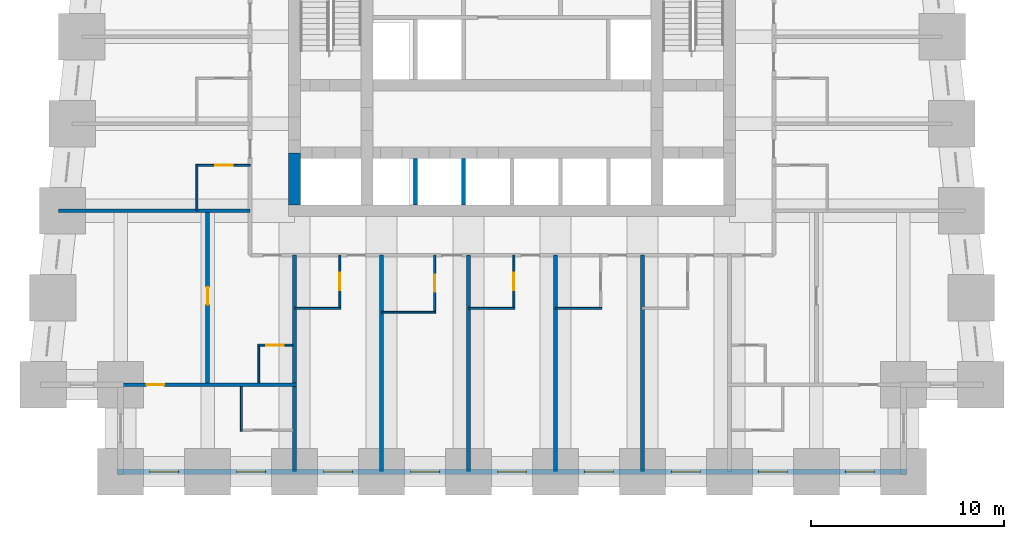
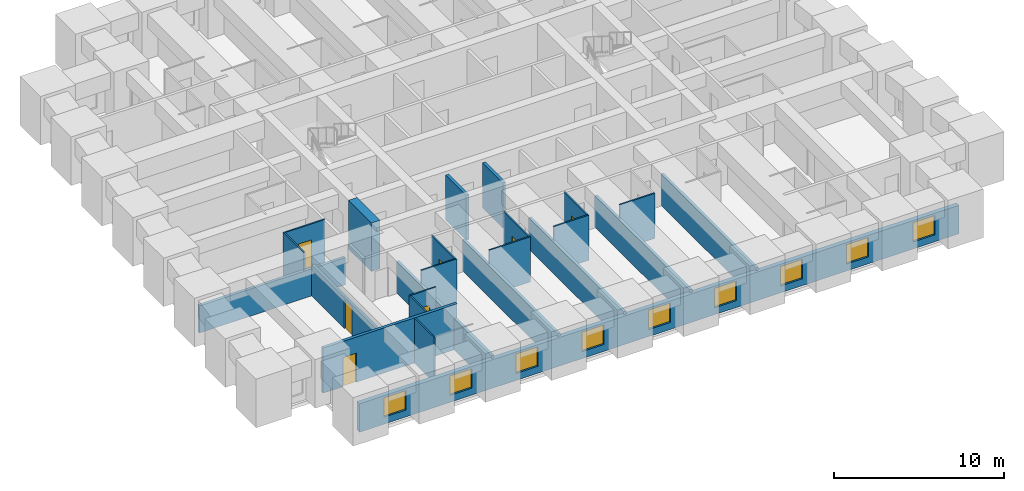
# One storey, part 2 of 8: 24 walls, 9 windows, 7 doors, 16 openings.
"""IFC4 building model written with IfcOpenShell, lengths in metres."""

from ifc_helpers import new_model, si_unit, direction, frame, frame_2d, origin, place, context, subcontext, project, spatial, rectangle, extrude, material, layer, layer_set, type_object, element, fill, save


model = new_model("IFC4")

# Units and contexts
model_context = context("Model", 3, precision=1e-05, world=origin(), true_north=direction((0.0, 1.0)))
body_context = subcontext(model_context, "Body", "Model", "MODEL_VIEW")
ifc_project = project(units=[si_unit("LENGTHUNIT", "METRE"), si_unit("AREAUNIT", "SQUARE_METRE"), si_unit("VOLUMEUNIT", "CUBIC_METRE"), si_unit("PLANEANGLEUNIT", "RADIAN"), si_unit("MASSUNIT", "GRAM", prefix="KILO")], contexts=[model_context])

# Site, building, storey
site_placement = place(None, origin())
site = spatial("IfcSite", under=ifc_project, at=site_placement, CompositionType="ELEMENT")
building_placement = place(site_placement, origin())
building = spatial("IfcBuilding", under=site, at=building_placement, Name="Kilele Tower Hotel", CompositionType="ELEMENT")
storey_placement = place(building_placement, frame((0.0, 0.0, 29.699951171875)))
storey = spatial("IfcBuildingStorey", under=building, at=storey_placement, Name="L05", CompositionType="ELEMENT", Elevation=29.699951171875)

# Wall
ifc_material_1 = material(Name="Moisture-resistant board")
ifc_layer_1 = layer(ifc_material_1, 0.10009765625)
ifc_layer_set_1 = layer_set([ifc_layer_1], Name="Moisture-resistant board")
wall_type_1 = type_object("IfcWallType", Name="Bathroom partition 100", PredefinedType="PLUMBINGWALL", material=ifc_layer_set_1)
wall_1_placement = place(storey_placement, frame((13.5, 8.449951171875, 0.0), z_axis=(0.0, 0.0, 1.0), x_axis=(1.0, 0.0, 0.0)))
element("IfcWall", 1, at=wall_1_placement, inside=storey, type_object=wall_type_1, Name="Bathroom partition 100 L05", PredefinedType="PLUMBINGWALL", context=body_context, shape_type="SweptSolid", body=[
    extrude(rectangle(XDim=2.39990234375, YDim=0.10009765625, at=frame_2d((1.199951171875, 0.0))), origin(), (0.0, 0.0, 1.0), 3.25),
])

# Wall, opening, door
wall_2_placement = place(storey_placement, frame((15.85009765625, 11.199951171875, 0.0), z_axis=(0.0, 0.0, 1.0), x_axis=(0.0, -1.0, 0.0)))
wall_2 = element("IfcWall", 2, at=wall_2_placement, inside=storey, type_object=wall_type_1, Name="Bathroom partition 100 L05", PredefinedType="PLUMBINGWALL", context=body_context, shape_type="SweptSolid", body=[
    extrude(rectangle(XDim=2.800048828125, YDim=0.10009765625, at=frame_2d((1.39990234375, 0.0))), origin(), (0.0, 0.0, 1.0), 3.25),
])
opening_1_placement = place(wall_2_placement, frame((0.89990234375, 0.0, 0.0)))
opening_1 = element("IfcOpeningElement", 3, at=opening_1_placement, cuts=wall_2, Name="Opening D2A", PredefinedType="OPENING", context=body_context, shape_type="SweptSolid", body=[
    extrude(rectangle(XDim=0.89990234375, YDim=2.10009765625, at=frame_2d((0.449951171875, 1.050048828125))), frame((0.0, 0.06005859375, 0.0), z_axis=(0.0, -1.0, 0.0), x_axis=(1.0, 0.0, 0.0)), (0.0, 0.0, 1.0), 0.1201171875),
])
ifc_material_2 = material(Name="Timber door leaf in hardwood frame", Category="wood")
door_type_1 = type_object("IfcDoorType", Name="Bathroom door 900", OperationType="SINGLE_SWING_LEFT", PredefinedType="DOOR", material=ifc_material_2)
door_1_placement = place(opening_1_placement, origin())
door_1 = element("IfcDoor", 4, at=door_1_placement, inside=storey, type_object=door_type_1, Name="Bathroom door 0501B", OperationType="SINGLE_SWING_LEFT", OverallHeight=2.10009765625, OverallWidth=0.89990234375, PredefinedType="DOOR", context=body_context, shape_type="SweptSolid", body=[
    extrude(rectangle(XDim=0.89990234375, YDim=2.10009765625, at=frame_2d((0.449951171875, 1.050048828125))), frame((0.0, 0.02490234375, 0.0), z_axis=(0.0, -1.0, 0.0), x_axis=(1.0, 0.0, 0.0)), (0.0, 0.0, 1.0), 0.050048828125),
])
fill(opening_1, door_1)

# Wall
wall_3_placement = place(storey_placement, frame((18.0, 8.25, 0.0), z_axis=(0.0, 0.0, 1.0), x_axis=(1.0, 0.0, 0.0)))
element("IfcWall", 5, at=wall_3_placement, inside=storey, type_object=wall_type_1, Name="Bathroom partition 100 L05", PredefinedType="PLUMBINGWALL", context=body_context, shape_type="SweptSolid", body=[
    extrude(rectangle(XDim=2.800048828125, YDim=0.10009765625, at=frame_2d((1.39990234375, 0.0))), origin(), (0.0, 0.0, 1.0), 3.25),
])

# Wall, opening, door
wall_4_placement = place(storey_placement, frame((20.75, 11.199951171875, 0.0), z_axis=(0.0, 0.0, 1.0), x_axis=(0.0, -1.0, 0.0)))
wall_4 = element("IfcWall", 6, at=wall_4_placement, inside=storey, type_object=wall_type_1, Name="Bathroom partition 100 L05", PredefinedType="PLUMBINGWALL", context=body_context, shape_type="SweptSolid", body=[
    extrude(rectangle(XDim=3.0, YDim=0.10009765625, at=frame_2d((1.5, 0.0))), origin(), (0.0, 0.0, 1.0), 3.25),
])
opening_2_placement = place(wall_4_placement, frame((1.0, 0.0, 0.0)))
opening_2 = element("IfcOpeningElement", 7, at=opening_2_placement, cuts=wall_4, Name="Opening D2A", PredefinedType="OPENING", context=body_context, shape_type="SweptSolid", body=[
    extrude(rectangle(XDim=0.89990234375, YDim=2.10009765625, at=frame_2d((0.449951171875, 1.050048828125))), frame((0.0, 0.06005859375, 0.0), z_axis=(0.0, -1.0, 0.0), x_axis=(1.0, 0.0, 0.0)), (0.0, 0.0, 1.0), 0.1201171875),
])
door_2_placement = place(opening_2_placement, origin())
door_2 = element("IfcDoor", 8, at=door_2_placement, inside=storey, type_object=door_type_1, Name="Bathroom door 0502B", OperationType="SINGLE_SWING_LEFT", OverallHeight=2.10009765625, OverallWidth=0.89990234375, PredefinedType="DOOR", context=body_context, shape_type="SweptSolid", body=[
    extrude(rectangle(XDim=0.89990234375, YDim=2.10009765625, at=frame_2d((0.449951171875, 1.050048828125))), frame((0.0, 0.02490234375, 0.0), z_axis=(0.0, -1.0, 0.0), x_axis=(1.0, 0.0, 0.0)), (0.0, 0.0, 1.0), 0.050048828125),
])
fill(opening_2, door_2)

# Wall
wall_5_placement = place(storey_placement, frame((22.5, 8.449951171875, 0.0), z_axis=(0.0, 0.0, 1.0), x_axis=(1.0, 0.0, 0.0)))
element("IfcWall", 9, at=wall_5_placement, inside=storey, type_object=wall_type_1, Name="Bathroom partition 100 L05", PredefinedType="PLUMBINGWALL", context=body_context, shape_type="SweptSolid", body=[
    extrude(rectangle(XDim=2.39990234375, YDim=0.10009765625, at=frame_2d((1.199951171875, 0.0))), origin(), (0.0, 0.0, 1.0), 3.25),
])

# Wall, opening, door
wall_6_placement = place(storey_placement, frame((24.85009765625, 11.199951171875, 0.0), z_axis=(0.0, 0.0, 1.0), x_axis=(0.0, -1.0, 0.0)))
wall_6 = element("IfcWall", 10, at=wall_6_placement, inside=storey, type_object=wall_type_1, Name="Bathroom partition 100 L05", PredefinedType="PLUMBINGWALL", context=body_context, shape_type="SweptSolid", body=[
    extrude(rectangle(XDim=2.800048828125, YDim=0.10009765625, at=frame_2d((1.39990234375, 0.0))), origin(), (0.0, 0.0, 1.0), 3.25),
])
opening_3_placement = place(wall_6_placement, frame((0.89990234375, 0.0, 0.0)))
opening_3 = element("IfcOpeningElement", 11, at=opening_3_placement, cuts=wall_6, Name="Opening D2A", PredefinedType="OPENING", context=body_context, shape_type="SweptSolid", body=[
    extrude(rectangle(XDim=0.89990234375, YDim=2.10009765625, at=frame_2d((0.449951171875, 1.050048828125))), frame((0.0, 0.06005859375, 0.0), z_axis=(0.0, -1.0, 0.0), x_axis=(1.0, 0.0, 0.0)), (0.0, 0.0, 1.0), 0.1201171875),
])
door_3_placement = place(opening_3_placement, origin())
door_3 = element("IfcDoor", 12, at=door_3_placement, inside=storey, type_object=door_type_1, Name="Bathroom door 0503B", OperationType="SINGLE_SWING_LEFT", OverallHeight=2.10009765625, OverallWidth=0.89990234375, PredefinedType="DOOR", context=body_context, shape_type="SweptSolid", body=[
    extrude(rectangle(XDim=0.89990234375, YDim=2.10009765625, at=frame_2d((0.449951171875, 1.050048828125))), frame((0.0, 0.02490234375, 0.0), z_axis=(0.0, -1.0, 0.0), x_axis=(1.0, 0.0, 0.0)), (0.0, 0.0, 1.0), 0.050048828125),
])
fill(opening_3, door_3)

# Walls
for number, where, z_axis, x_axis, name in (
    (13, (27.0, 8.449951171875, 0.0), (0.0, 0.0, 1.0), (1.0, 0.0, 0.0), "Bathroom partition 100 L05"),
    (14, (8.449951171875, 13.5, 0.0), (0.0, 0.0, 1.0), (0.0, 1.0, 0.0), "Bathroom partition 100 L05"),
):
    element("IfcWall", number, at=place(storey_placement, frame(where, z_axis=z_axis, x_axis=x_axis)), inside=storey, type_object=wall_type_1, Name=name, PredefinedType="PLUMBINGWALL", context=body_context, shape_type="SweptSolid", body=[
        extrude(rectangle(XDim=2.39990234375, YDim=0.10009765625, at=frame_2d((1.199951171875, 0.0))), origin(), (0.0, 0.0, 1.0), 3.25),
    ])

# Wall, opening, door
wall_7_placement = place(storey_placement, frame((11.199951171875, 15.85009765625, 0.0), z_axis=(0.0, 0.0, 1.0), x_axis=(-1.0, 0.0, 0.0)))
wall_7 = element("IfcWall", 15, at=wall_7_placement, inside=storey, type_object=wall_type_1, Name="Bathroom partition 100 L05", PredefinedType="PLUMBINGWALL", context=body_context, shape_type="SweptSolid", body=[
    extrude(rectangle(XDim=2.800048828125, YDim=0.10009765625, at=frame_2d((1.39990234375, 0.0))), origin(), (0.0, 0.0, 1.0), 3.25),
])
opening_4_placement = place(wall_7_placement, frame((1.7998046875, 0.0, 0.0), z_axis=(0.0, 0.0, 1.0), x_axis=(-1.0, 0.0, 0.0)))
opening_4 = element("IfcOpeningElement", 16, at=opening_4_placement, cuts=wall_7, Name="Opening D2A", PredefinedType="OPENING", context=body_context, shape_type="SweptSolid", body=[
    extrude(rectangle(XDim=0.89990234375, YDim=2.10009765625, at=frame_2d((0.449951171875, 1.050048828125))), frame((0.0, 0.06005859375, 0.0), z_axis=(0.0, -1.0, 0.0), x_axis=(1.0, 0.0, 0.0)), (0.0, 0.0, 1.0), 0.1201171875),
])
door_4_placement = place(opening_4_placement, origin())
door_4 = element("IfcDoor", 17, at=door_4_placement, inside=storey, type_object=door_type_1, Name="Bathroom door 0514B", OperationType="SINGLE_SWING_RIGHT", OverallHeight=2.10009765625, OverallWidth=0.89990234375, PredefinedType="DOOR", context=body_context, shape_type="SweptSolid", body=[
    extrude(rectangle(XDim=0.89990234375, YDim=2.10009765625, at=frame_2d((0.449951171875, 1.050048828125))), frame((0.0, 0.02490234375, 0.0), z_axis=(0.0, -1.0, 0.0), x_axis=(1.0, 0.0, 0.0)), (0.0, 0.0, 1.0), 0.050048828125),
])
fill(opening_4, door_4)

# Wall
wall_8_placement = place(storey_placement, frame((11.64990234375, 4.60009765625, 0.0), z_axis=(0.0, 0.0, 1.0), x_axis=(0.0, 1.0, 0.0)))
element("IfcWall", 18, at=wall_8_placement, inside=storey, type_object=wall_type_1, Name="Bathroom partition 100 L05", PredefinedType="PLUMBINGWALL", context=body_context, shape_type="SweptSolid", body=[
    extrude(rectangle(XDim=2.0, YDim=0.10009765625, at=frame_2d((1.0, 0.0))), origin(), (0.0, 0.0, 1.0), 3.25),
])

# Wall, opening, door
wall_9_placement = place(storey_placement, frame((13.39990234375, 6.550048828125, 0.0), z_axis=(0.0, 0.0, 1.0), x_axis=(-1.0, 0.0, 0.0)))
wall_9 = element("IfcWall", 19, at=wall_9_placement, inside=storey, type_object=wall_type_1, Name="Bathroom partition 100 L05", PredefinedType="PLUMBINGWALL", context=body_context, shape_type="SweptSolid", body=[
    extrude(rectangle(XDim=1.7998046875, YDim=0.10009765625, at=frame_2d((0.89990234375, 0.0))), origin(), (0.0, 0.0, 1.0), 3.25),
])
opening_5_placement = place(wall_9_placement, frame((1.349853515625, 0.0, 0.0), z_axis=(0.0, 0.0, 1.0), x_axis=(-1.0, 0.0, 0.0)))
opening_5 = element("IfcOpeningElement", 20, at=opening_5_placement, cuts=wall_9, Name="Opening D2A", PredefinedType="OPENING", context=body_context, shape_type="SweptSolid", body=[
    extrude(rectangle(XDim=0.89990234375, YDim=2.10009765625, at=frame_2d((0.449951171875, 1.050048828125))), frame((0.0, 0.06005859375, 0.0), z_axis=(0.0, -1.0, 0.0), x_axis=(1.0, 0.0, 0.0)), (0.0, 0.0, 1.0), 0.1201171875),
])
door_5_placement = place(opening_5_placement, origin())
door_5 = element("IfcDoor", 21, at=door_5_placement, inside=storey, type_object=door_type_1, Name="Bathroom door 0517P", OperationType="SINGLE_SWING_RIGHT", OverallHeight=2.10009765625, OverallWidth=0.89990234375, PredefinedType="DOOR", context=body_context, shape_type="SweptSolid", body=[
    extrude(rectangle(XDim=0.89990234375, YDim=2.10009765625, at=frame_2d((0.449951171875, 1.050048828125))), frame((0.0, 0.02490234375, 0.0), z_axis=(0.0, -1.0, 0.0), x_axis=(1.0, 0.0, 0.0)), (0.0, 0.0, 1.0), 0.050048828125),
])
fill(opening_5, door_5)

# Walls
wall_10_placement = place(storey_placement, frame((10.75, 4.39990234375, 0.0), z_axis=(0.0, 0.0, 1.0), x_axis=(0.0, -1.0, 0.0)))
element("IfcWall", 22, at=wall_10_placement, inside=storey, type_object=wall_type_1, Name="Bathroom partition 100 L05", PredefinedType="PLUMBINGWALL", context=body_context, shape_type="SweptSolid", body=[
    extrude(rectangle(XDim=2.2998046875, YDim=0.10009765625, at=frame_2d((1.14990234375, 0.0))), origin(), (0.0, 0.0, 1.0), 3.25),
])
ifc_material_3 = material(Name="Concrete C60/75", Category="concrete")
ifc_layer_2 = layer(ifc_material_3, 0.60009765625)
ifc_layer_set_2 = layer_set([ifc_layer_2], Name="Concrete C60/75")
wall_type_2 = type_object("IfcWallType", Name="Core wall 600 C60/75", PredefinedType="SHEAR", material=ifc_layer_set_2)
wall_11_placement = place(storey_placement, frame((13.5, 16.5, 0.0), z_axis=(0.0, 0.0, 1.0), x_axis=(0.0, -1.0, 0.0)))
element("IfcWall", 23, at=wall_11_placement, inside=storey, type_object=wall_type_2, Name="Core wall W3 L05", PredefinedType="SHEAR", context=body_context, shape_type="SweptSolid", body=[
    extrude(rectangle(XDim=2.699951171875, YDim=0.60009765625, at=frame_2d((1.35009765625, 0.0))), origin(), (0.0, 0.0, 1.0), 3.5),
])

# Wall, opening, door
ifc_material_4 = material(Name="Blockwork, plastered both sides", Category="masonry")
ifc_layer_3 = layer(ifc_material_4, 0.199951171875)
ifc_layer_set_3 = layer_set([ifc_layer_3], Name="Blockwork, plastered both sides")
wall_type_3 = type_object("IfcWallType", Name="Partition wall 200", PredefinedType="PARTITIONING", material=ifc_layer_set_3)
wall_12_placement = place(storey_placement, frame((9.0, 4.60009765625, 0.0), z_axis=(0.0, 0.0, 1.0), x_axis=(0.0, 1.0, 0.0)))
wall_12 = element("IfcWall", 24, at=wall_12_placement, inside=storey, type_object=wall_type_3, Name="Partition wall 200 L05", PredefinedType="PARTITIONING", context=body_context, shape_type="SweptSolid", body=[
    extrude(rectangle(XDim=8.7998046875, YDim=0.199951171875, at=frame_2d((4.39990234375, 0.0))), origin(), (0.0, 0.0, 1.0), 2.25),
])
opening_6_placement = place(wall_12_placement, frame((4.050048828125, 0.0, 0.0)))
opening_6 = element("IfcOpeningElement", 25, at=opening_6_placement, cuts=wall_12, Name="Opening D3", PredefinedType="OPENING", context=body_context, shape_type="SweptSolid", body=[
    extrude(rectangle(XDim=0.89990234375, YDim=2.10009765625, at=frame_2d((0.449951171875, 1.050048828125))), frame((0.0, 0.10986328125, 0.0), z_axis=(0.0, -1.0, 0.0), x_axis=(1.0, 0.0, 0.0)), (0.0, 0.0, 1.0), 0.219970703125),
])
ifc_material_5 = material(Name="Timber door leaf in hardwood frame", Category="wood")
door_type_2 = type_object("IfcDoorType", Name="Suite internal door 900", OperationType="SINGLE_SWING_LEFT", PredefinedType="DOOR", material=ifc_material_5)
door_6_placement = place(opening_6_placement, origin())
door_6 = element("IfcDoor", 26, at=door_6_placement, inside=storey, type_object=door_type_2, Name="Suite door 0518", OperationType="SINGLE_SWING_RIGHT", OverallHeight=2.10009765625, OverallWidth=0.89990234375, PredefinedType="DOOR", context=body_context, shape_type="SweptSolid", body=[
    extrude(rectangle(XDim=0.89990234375, YDim=2.10009765625, at=frame_2d((0.449951171875, 1.050048828125))), frame((0.0, 0.02490234375, 0.0), z_axis=(0.0, -1.0, 0.0), x_axis=(1.0, 0.0, 0.0)), (0.0, 0.0, 1.0), 0.050048828125),
])
fill(opening_6, door_6)

# Walls
ifc_material_6 = material(Name="Blockwork, plastered both sides", Category="masonry")
ifc_layer_4 = layer(ifc_material_6, 0.199951171875)
ifc_layer_set_4 = layer_set([ifc_layer_4], Name="Blockwork, plastered both sides")
wall_type_4 = type_object("IfcWallType", Name="Party wall 200", PredefinedType="PARTITIONING", material=ifc_layer_set_4)
for number, where, z_axis, x_axis, name in (
    (27, (18.0, 11.199951171875, 0.0), (0.0, 0.0, 1.0), (0.0, -1.0, 0.0), "Party wall 200 L05"),
    (28, (22.5, 11.199951171875, 0.0), (0.0, 0.0, 1.0), (0.0, -1.0, 0.0), "Party wall 200 L05"),
    (29, (27.0, 11.199951171875, 0.0), (0.0, 0.0, 1.0), (0.0, -1.0, 0.0), "Party wall 200 L05"),
    (30, (31.5, 11.199951171875, 0.0), (0.0, 0.0, 1.0), (0.0, -1.0, 0.0), "Party wall 200 L05"),
):
    element("IfcWall", number, at=place(storey_placement, frame(where, z_axis=z_axis, x_axis=x_axis)), inside=storey, type_object=wall_type_4, Name=name, PredefinedType="PARTITIONING", context=body_context, shape_type="SweptSolid", body=[
        extrude(rectangle(XDim=11.199951171875, YDim=0.199951171875, at=frame_2d((5.60009765625, 0.0))), origin(), (0.0, 0.0, 1.0), 2.25),
    ])
wall_13_placement = place(storey_placement, frame((11.199951171875, 13.5, 0.0), z_axis=(0.0, 0.0, 1.0), x_axis=(-1.0, 0.0, 0.0)))
element("IfcWall", 31, at=wall_13_placement, inside=storey, type_object=wall_type_4, Name="Party wall 200 L05", PredefinedType="PARTITIONING", context=body_context, shape_type="SweptSolid", body=[
    extrude(rectangle(XDim=9.921142578125, YDim=0.199951171875, at=frame_2d((4.96044921875, 0.0))), origin(), (0.0, 0.0, 1.0), 1.949951171875),
])
wall_14_placement = place(storey_placement, frame((13.5, 11.199951171875, 0.0), z_axis=(0.0, 0.0, 1.0), x_axis=(0.0, -1.0, 0.0)))
element("IfcWall", 32, at=wall_14_placement, inside=storey, type_object=wall_type_4, Name="Party wall 200 L05", PredefinedType="PARTITIONING", context=body_context, shape_type="SweptSolid", body=[
    extrude(rectangle(XDim=11.199951171875, YDim=0.199951171875, at=frame_2d((5.60009765625, 0.0))), origin(), (0.0, 0.0, 1.0), 2.25),
])

# Wall, opening, door
wall_15_placement = place(storey_placement, frame((13.60009765625, 4.5, 0.0), z_axis=(0.0, 0.0, 1.0), x_axis=(-1.0, 0.0, 0.0)))
wall_15 = element("IfcWall", 33, at=wall_15_placement, inside=storey, type_object=wall_type_4, Name="Party wall 200 L05", PredefinedType="PARTITIONING", context=body_context, shape_type="SweptSolid", body=[
    extrude(rectangle(XDim=9.10009765625, YDim=0.199951171875, at=frame_2d((4.550048828125, 0.0))), origin(), (0.0, 0.0, 1.0), 3.25),
])
opening_7_placement = place(wall_15_placement, frame((6.85009765625, 0.0, 0.0)))
opening_7 = element("IfcOpeningElement", 34, at=opening_7_placement, cuts=wall_15, Name="Opening D3", PredefinedType="OPENING", context=body_context, shape_type="SweptSolid", body=[
    extrude(rectangle(XDim=0.89990234375, YDim=2.10009765625, at=frame_2d((0.449951171875, 1.050048828125))), frame((0.0, 0.10986328125, 0.0), z_axis=(0.0, -1.0, 0.0), x_axis=(1.0, 0.0, 0.0)), (0.0, 0.0, 1.0), 0.219970703125),
])
door_7_placement = place(opening_7_placement, origin())
door_7 = element("IfcDoor", 35, at=door_7_placement, inside=storey, type_object=door_type_2, Name="Suite door 0519", OperationType="SINGLE_SWING_RIGHT", OverallHeight=2.10009765625, OverallWidth=0.89990234375, PredefinedType="DOOR", context=body_context, shape_type="SweptSolid", body=[
    extrude(rectangle(XDim=0.89990234375, YDim=2.10009765625, at=frame_2d((0.449951171875, 1.050048828125))), frame((0.0, 0.02490234375, 0.0), z_axis=(0.0, -1.0, 0.0), x_axis=(1.0, 0.0, 0.0)), (0.0, 0.0, 1.0), 0.050048828125),
])
fill(opening_7, door_7)

# Wall, openings, windows
ifc_material_7 = material(Name="Concrete C40/50 precast", Category="concrete")
ifc_layer_5 = layer(ifc_material_7, 0.260009765625, Name="Precast backing", Category="LoadBearing")
ifc_material_8 = material(Name="Reconstituted stone finish", Category="masonry")
ifc_layer_6 = layer(ifc_material_8, 0.0400390625, Name="Face mix", Category="Finish")
ifc_layer_set_5 = layer_set([ifc_layer_5, ifc_layer_6], Name="Precast concrete C40/50, reconstituted stone finish")
wall_type_5 = type_object("IfcWallType", Name="Precast stone facade wall 300", PredefinedType="STANDARD", material=ifc_layer_set_5)
wall_16_placement = place(storey_placement, frame((4.35009765625, 0.0, 0.0), z_axis=(0.0, 0.0, 1.0), x_axis=(1.0, 0.0, 0.0)))
wall_16 = element("IfcWall", 36, at=wall_16_placement, inside=storey, type_object=wall_type_5, Name="Facade wall L05 edge 3", PredefinedType="STANDARD", context=body_context, shape_type="SweptSolid", body=[
    extrude(rectangle(XDim=40.7998046875, YDim=0.300048828125, at=frame_2d((20.39990234375, 0.0))), origin(), (0.0, 0.0, 1.0), 2.050048828125),
])
opening_8_placement = place(wall_16_placement, frame((1.64990234375, 0.0, 0.5)))
opening_8 = element("IfcOpeningElement", 37, at=opening_8_placement, cuts=wall_16, Name="Opening W1", PredefinedType="OPENING", context=body_context, shape_type="SweptSolid", body=[
    extrude(rectangle(XDim=1.5, YDim=1.39990234375, at=frame_2d((0.75, 0.699951171875))), frame((0.0, 0.159912109375, 0.0), z_axis=(0.0, -1.0, 0.0), x_axis=(1.0, 0.0, 0.0)), (0.0, 0.0, 1.0), 0.320068359375),
])
opening_9_placement = place(wall_16_placement, frame((6.14990234375, 0.0, 0.5)))
opening_9 = element("IfcOpeningElement", 38, at=opening_9_placement, cuts=wall_16, Name="Opening W1", PredefinedType="OPENING", context=body_context, shape_type="SweptSolid", body=[
    extrude(rectangle(XDim=1.5, YDim=1.39990234375, at=frame_2d((0.75, 0.699951171875))), frame((0.0, 0.159912109375, 0.0), z_axis=(0.0, -1.0, 0.0), x_axis=(1.0, 0.0, 0.0)), (0.0, 0.0, 1.0), 0.320068359375),
])
opening_10_placement = place(wall_16_placement, frame((10.64990234375, 0.0, 0.5)))
opening_10 = element("IfcOpeningElement", 39, at=opening_10_placement, cuts=wall_16, Name="Opening W1", PredefinedType="OPENING", context=body_context, shape_type="SweptSolid", body=[
    extrude(rectangle(XDim=1.5, YDim=1.39990234375, at=frame_2d((0.75, 0.699951171875))), frame((0.0, 0.159912109375, 0.0), z_axis=(0.0, -1.0, 0.0), x_axis=(1.0, 0.0, 0.0)), (0.0, 0.0, 1.0), 0.320068359375),
])
opening_11_placement = place(wall_16_placement, frame((15.14990234375, 0.0, 0.5)))
opening_11 = element("IfcOpeningElement", 40, at=opening_11_placement, cuts=wall_16, Name="Opening W1", PredefinedType="OPENING", context=body_context, shape_type="SweptSolid", body=[
    extrude(rectangle(XDim=1.5, YDim=1.39990234375, at=frame_2d((0.75, 0.699951171875))), frame((0.0, 0.159912109375, 0.0), z_axis=(0.0, -1.0, 0.0), x_axis=(1.0, 0.0, 0.0)), (0.0, 0.0, 1.0), 0.320068359375),
])
opening_12_placement = place(wall_16_placement, frame((19.64990234375, 0.0, 0.5)))
opening_12 = element("IfcOpeningElement", 41, at=opening_12_placement, cuts=wall_16, Name="Opening W1", PredefinedType="OPENING", context=body_context, shape_type="SweptSolid", body=[
    extrude(rectangle(XDim=1.5, YDim=1.39990234375, at=frame_2d((0.75, 0.699951171875))), frame((0.0, 0.159912109375, 0.0), z_axis=(0.0, -1.0, 0.0), x_axis=(1.0, 0.0, 0.0)), (0.0, 0.0, 1.0), 0.320068359375),
])
opening_13_placement = place(wall_16_placement, frame((24.14990234375, 0.0, 0.5)))
opening_13 = element("IfcOpeningElement", 42, at=opening_13_placement, cuts=wall_16, Name="Opening W1", PredefinedType="OPENING", context=body_context, shape_type="SweptSolid", body=[
    extrude(rectangle(XDim=1.5, YDim=1.39990234375, at=frame_2d((0.75, 0.699951171875))), frame((0.0, 0.159912109375, 0.0), z_axis=(0.0, -1.0, 0.0), x_axis=(1.0, 0.0, 0.0)), (0.0, 0.0, 1.0), 0.320068359375),
])
opening_14_placement = place(wall_16_placement, frame((28.64990234375, 0.0, 0.5)))
opening_14 = element("IfcOpeningElement", 43, at=opening_14_placement, cuts=wall_16, Name="Opening W1", PredefinedType="OPENING", context=body_context, shape_type="SweptSolid", body=[
    extrude(rectangle(XDim=1.5, YDim=1.39990234375, at=frame_2d((0.75, 0.699951171875))), frame((0.0, 0.159912109375, 0.0), z_axis=(0.0, -1.0, 0.0), x_axis=(1.0, 0.0, 0.0)), (0.0, 0.0, 1.0), 0.320068359375),
])
opening_15_placement = place(wall_16_placement, frame((33.14990234375, 0.0, 0.5)))
opening_15 = element("IfcOpeningElement", 44, at=opening_15_placement, cuts=wall_16, Name="Opening W1", PredefinedType="OPENING", context=body_context, shape_type="SweptSolid", body=[
    extrude(rectangle(XDim=1.5, YDim=1.39990234375, at=frame_2d((0.75, 0.699951171875))), frame((0.0, 0.159912109375, 0.0), z_axis=(0.0, -1.0, 0.0), x_axis=(1.0, 0.0, 0.0)), (0.0, 0.0, 1.0), 0.320068359375),
])
opening_16_placement = place(wall_16_placement, frame((37.64990234375, 0.0, 0.5)))
opening_16 = element("IfcOpeningElement", 45, at=opening_16_placement, cuts=wall_16, Name="Opening W1", PredefinedType="OPENING", context=body_context, shape_type="SweptSolid", body=[
    extrude(rectangle(XDim=1.5, YDim=1.39990234375, at=frame_2d((0.75, 0.699951171875))), frame((0.0, 0.159912109375, 0.0), z_axis=(0.0, -1.0, 0.0), x_axis=(1.0, 0.0, 0.0)), (0.0, 0.0, 1.0), 0.320068359375),
])
ifc_material_9 = material(Name="Aluminium frame, clear double glazing", Category="aluminium")
window_type = type_object("IfcWindowType", Name="Window W1 1500 x 1400", PartitioningType="SINGLE_PANEL", PredefinedType="WINDOW", material=ifc_material_9)
window_1_placement = place(opening_8_placement, origin())
window_1 = element("IfcWindow", 46, at=window_1_placement, inside=storey, type_object=window_type, Name="Window L05", OverallHeight=1.39990234375, OverallWidth=1.5, PartitioningType="SINGLE_PANEL", PredefinedType="WINDOW", context=body_context, shape_type="SweptSolid", body=[
    extrude(rectangle(XDim=1.5, YDim=1.39990234375, at=frame_2d((0.75, 0.699951171875))), frame((0.0, 0.030029296875, 0.0), z_axis=(0.0, -1.0, 0.0), x_axis=(1.0, 0.0, 0.0)), (0.0, 0.0, 1.0), 0.06005859375),
])
fill(opening_8, window_1)
window_2_placement = place(opening_9_placement, origin())
window_2 = element("IfcWindow", 47, at=window_2_placement, inside=storey, type_object=window_type, Name="Window L05", OverallHeight=1.39990234375, OverallWidth=1.5, PartitioningType="SINGLE_PANEL", PredefinedType="WINDOW", context=body_context, shape_type="SweptSolid", body=[
    extrude(rectangle(XDim=1.5, YDim=1.39990234375, at=frame_2d((0.75, 0.699951171875))), frame((0.0, 0.030029296875, 0.0), z_axis=(0.0, -1.0, 0.0), x_axis=(1.0, 0.0, 0.0)), (0.0, 0.0, 1.0), 0.06005859375),
])
fill(opening_9, window_2)
window_3_placement = place(opening_10_placement, origin())
window_3 = element("IfcWindow", 48, at=window_3_placement, inside=storey, type_object=window_type, Name="Window L05", OverallHeight=1.39990234375, OverallWidth=1.5, PartitioningType="SINGLE_PANEL", PredefinedType="WINDOW", context=body_context, shape_type="SweptSolid", body=[
    extrude(rectangle(XDim=1.5, YDim=1.39990234375, at=frame_2d((0.75, 0.699951171875))), frame((0.0, 0.030029296875, 0.0), z_axis=(0.0, -1.0, 0.0), x_axis=(1.0, 0.0, 0.0)), (0.0, 0.0, 1.0), 0.06005859375),
])
fill(opening_10, window_3)
window_4_placement = place(opening_11_placement, origin())
window_4 = element("IfcWindow", 49, at=window_4_placement, inside=storey, type_object=window_type, Name="Window L05", OverallHeight=1.39990234375, OverallWidth=1.5, PartitioningType="SINGLE_PANEL", PredefinedType="WINDOW", context=body_context, shape_type="SweptSolid", body=[
    extrude(rectangle(XDim=1.5, YDim=1.39990234375, at=frame_2d((0.75, 0.699951171875))), frame((0.0, 0.030029296875, 0.0), z_axis=(0.0, -1.0, 0.0), x_axis=(1.0, 0.0, 0.0)), (0.0, 0.0, 1.0), 0.06005859375),
])
fill(opening_11, window_4)
window_5_placement = place(opening_12_placement, origin())
window_5 = element("IfcWindow", 50, at=window_5_placement, inside=storey, type_object=window_type, Name="Window L05", OverallHeight=1.39990234375, OverallWidth=1.5, PartitioningType="SINGLE_PANEL", PredefinedType="WINDOW", context=body_context, shape_type="SweptSolid", body=[
    extrude(rectangle(XDim=1.5, YDim=1.39990234375, at=frame_2d((0.75, 0.699951171875))), frame((0.0, 0.030029296875, 0.0), z_axis=(0.0, -1.0, 0.0), x_axis=(1.0, 0.0, 0.0)), (0.0, 0.0, 1.0), 0.06005859375),
])
fill(opening_12, window_5)
window_6_placement = place(opening_13_placement, origin())
window_6 = element("IfcWindow", 51, at=window_6_placement, inside=storey, type_object=window_type, Name="Window L05", OverallHeight=1.39990234375, OverallWidth=1.5, PartitioningType="SINGLE_PANEL", PredefinedType="WINDOW", context=body_context, shape_type="SweptSolid", body=[
    extrude(rectangle(XDim=1.5, YDim=1.39990234375, at=frame_2d((0.75, 0.699951171875))), frame((0.0, 0.030029296875, 0.0), z_axis=(0.0, -1.0, 0.0), x_axis=(1.0, 0.0, 0.0)), (0.0, 0.0, 1.0), 0.06005859375),
])
fill(opening_13, window_6)
window_7_placement = place(opening_14_placement, origin())
window_7 = element("IfcWindow", 52, at=window_7_placement, inside=storey, type_object=window_type, Name="Window L05", OverallHeight=1.39990234375, OverallWidth=1.5, PartitioningType="SINGLE_PANEL", PredefinedType="WINDOW", context=body_context, shape_type="SweptSolid", body=[
    extrude(rectangle(XDim=1.5, YDim=1.39990234375, at=frame_2d((0.75, 0.699951171875))), frame((0.0, 0.030029296875, 0.0), z_axis=(0.0, -1.0, 0.0), x_axis=(1.0, 0.0, 0.0)), (0.0, 0.0, 1.0), 0.06005859375),
])
fill(opening_14, window_7)
window_8_placement = place(opening_15_placement, origin())
window_8 = element("IfcWindow", 53, at=window_8_placement, inside=storey, type_object=window_type, Name="Window L05", OverallHeight=1.39990234375, OverallWidth=1.5, PartitioningType="SINGLE_PANEL", PredefinedType="WINDOW", context=body_context, shape_type="SweptSolid", body=[
    extrude(rectangle(XDim=1.5, YDim=1.39990234375, at=frame_2d((0.75, 0.699951171875))), frame((0.0, 0.030029296875, 0.0), z_axis=(0.0, -1.0, 0.0), x_axis=(1.0, 0.0, 0.0)), (0.0, 0.0, 1.0), 0.06005859375),
])
fill(opening_15, window_8)
window_9_placement = place(opening_16_placement, origin())
window_9 = element("IfcWindow", 54, at=window_9_placement, inside=storey, type_object=window_type, Name="Window L05", OverallHeight=1.39990234375, OverallWidth=1.5, PartitioningType="SINGLE_PANEL", PredefinedType="WINDOW", context=body_context, shape_type="SweptSolid", body=[
    extrude(rectangle(XDim=1.5, YDim=1.39990234375, at=frame_2d((0.75, 0.699951171875))), frame((0.0, 0.030029296875, 0.0), z_axis=(0.0, -1.0, 0.0), x_axis=(1.0, 0.0, 0.0)), (0.0, 0.0, 1.0), 0.06005859375),
])
fill(opening_16, window_9)

# Walls
ifc_material_10 = material(Name="Blockwork, fire-rated", Category="masonry")
ifc_layer_7 = layer(ifc_material_10, 0.199951171875)
ifc_layer_set_6 = layer_set([ifc_layer_7], Name="Blockwork, fire-rated")
wall_type_6 = type_object("IfcWallType", Name="Shaft wall 200", PredefinedType="PARTITIONING", material=ifc_layer_set_6)
for number, where, z_axis, x_axis, name in (
    (55, (19.75, 13.800048828125, 0.0), (0.0, 0.0, 1.0), (0.0, 1.0, 0.0), "Shaft wall 200 L05"),
    (56, (22.25, 13.800048828125, 0.0), (0.0, 0.0, 1.0), (0.0, 1.0, 0.0), "Shaft wall 200 L05"),
):
    element("IfcWall", number, at=place(storey_placement, frame(where, z_axis=z_axis, x_axis=x_axis)), inside=storey, type_object=wall_type_6, Name=name, PredefinedType="PARTITIONING", context=body_context, shape_type="SweptSolid", body=[
        extrude(rectangle(XDim=2.39990234375, YDim=0.199951171875, at=frame_2d((1.199951171875, 0.0))), origin(), (0.0, 0.0, 1.0), 3.25),
    ])

save(model, "model.ifc")
